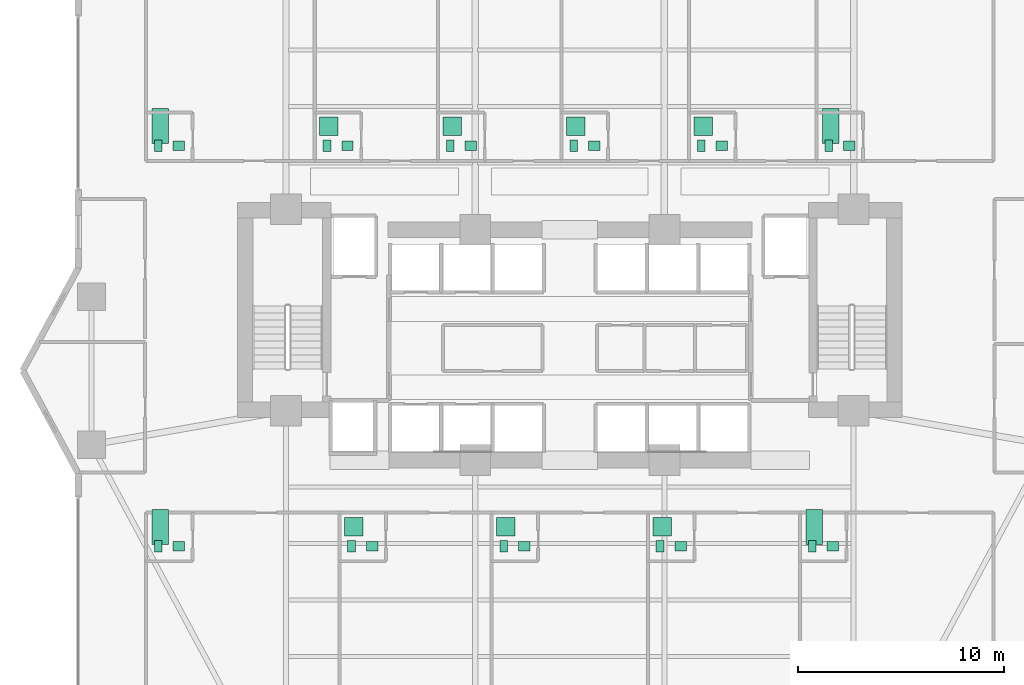
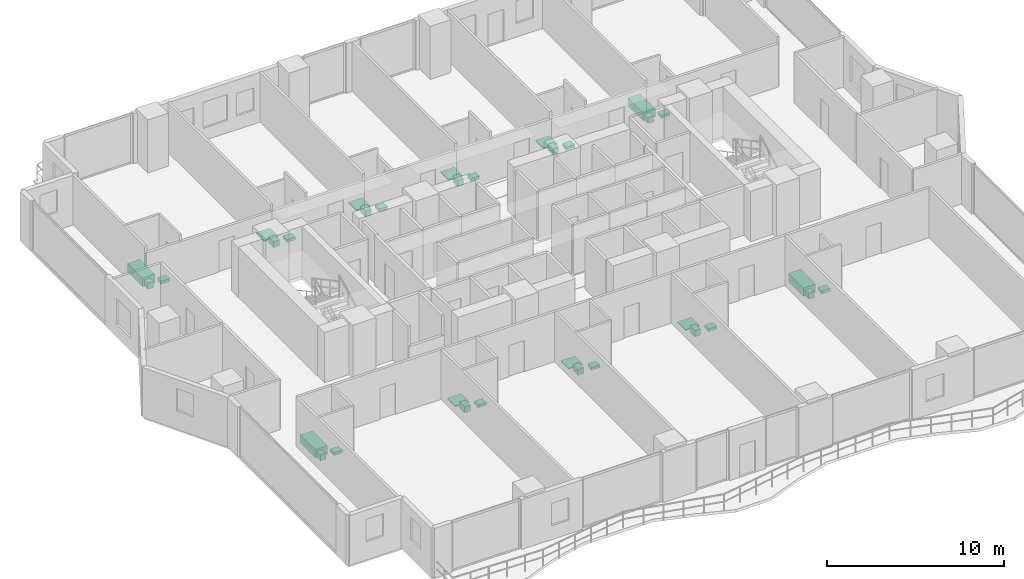
# One storey, part 28 of 28: 33 sanitary terminals.
"""IFC4 building model written with IfcOpenShell, lengths in metres."""

from ifc_helpers import new_model, si_unit, direction, frame, origin, origin_2d, place, context, subcontext, project, spatial, rectangle, extrude, material, type_object, element, save


model = new_model("IFC4")

# Units and contexts
model_context = context("Model", 3, precision=1e-05, world=origin(), true_north=direction((0.0, 1.0)))
body_context = subcontext(model_context, "Body", "Model", "MODEL_VIEW")
ifc_project = project(units=[si_unit("LENGTHUNIT", "METRE"), si_unit("AREAUNIT", "SQUARE_METRE"), si_unit("VOLUMEUNIT", "CUBIC_METRE"), si_unit("PLANEANGLEUNIT", "RADIAN"), si_unit("MASSUNIT", "GRAM", prefix="KILO")], contexts=[model_context])

# Site, building, storey
site_placement = place(None, origin())
site = spatial("IfcSite", under=ifc_project, at=site_placement, CompositionType="ELEMENT")
building_placement = place(site_placement, origin())
building = spatial("IfcBuilding", under=site, at=building_placement, Name="Zuhayl Quay Hotel", CompositionType="ELEMENT")
storey_placement = place(building_placement, frame((0.0, 0.0, 99.300048828125)))
storey = spatial("IfcBuildingStorey", under=building, at=storey_placement, Name="L24", CompositionType="ELEMENT", Elevation=99.300048828125)

# Sanitary terminals
ifc_material = material(Name="Vitreous Porcelain Sanitaryware")
sanitary_terminal_type_1 = type_object("IfcSanitaryTerminalType", Name="SAN_BASIN", PredefinedType="WASHHANDBASIN", material=ifc_material)
for number, where, z_axis, x_axis, name in (
    (1, (-19.010009765625, 17.43994140625, 0.0), (0.0, 0.0, 1.0), (1.0, 0.0, 0.0), "L24 Sanitary Fixture WASHHANDBASIN"),
    (2, (-10.81005859375, 17.43994140625, 0.0), (0.0, 0.0, 1.0), (1.0, 0.0, 0.0), "L24 Sanitary Fixture WASHHANDBASIN"),
    (3, (-4.81005859375, 17.43994140625, 0.0), (0.0, 0.0, 1.0), (1.0, 0.0, 0.0), "L24 Sanitary Fixture WASHHANDBASIN"),
    (4, (1.18994140625, 17.43994140625, 0.0), (0.0, 0.0, 1.0), (1.0, 0.0, 0.0), "L24 Sanitary Fixture WASHHANDBASIN"),
    (5, (7.389892578125, 17.43994140625, 0.0), (0.0, 0.0, 1.0), (1.0, 0.0, 0.0), "L24 Sanitary Fixture WASHHANDBASIN"),
    (6, (13.590087890625, 17.43994140625, 0.0), (0.0, 0.0, 1.0), (1.0, 0.0, 0.0), "L24 Sanitary Fixture WASHHANDBASIN"),
    (7, (-19.010009765625, -2.0400390625, 0.0), (0.0, 0.0, 1.0), (1.0, 0.0, 0.0), "L24 Sanitary Fixture WASHHANDBASIN"),
    (8, (-9.610107421875, -2.0400390625, 0.0), (0.0, 0.0, 1.0), (1.0, 0.0, 0.0), "L24 Sanitary Fixture WASHHANDBASIN"),
    (9, (-2.2099609375, -2.0400390625, 0.0), (0.0, 0.0, 1.0), (1.0, 0.0, 0.0), "L24 Sanitary Fixture WASHHANDBASIN"),
    (10, (5.389892578125, -2.0400390625, 0.0), (0.0, 0.0, 1.0), (1.0, 0.0, 0.0), "L24 Sanitary Fixture WASHHANDBASIN"),
    (11, (12.7900390625, -2.0400390625, 0.0), (0.0, 0.0, 1.0), (1.0, 0.0, 0.0), "L24 Sanitary Fixture WASHHANDBASIN"),
):
    element("IfcSanitaryTerminal", number, at=place(storey_placement, frame(where, z_axis=z_axis, x_axis=x_axis)), inside=storey, type_object=sanitary_terminal_type_1, Name=name, PredefinedType="WASHHANDBASIN", context=body_context, shape_type="SweptSolid", body=[
        extrude(rectangle(XDim=0.550048828125, YDim=0.449951171875, at=origin_2d()), origin(), (0.0, 0.0, 1.0), 0.199951171875),
    ])
sanitary_terminal_type_2 = type_object("IfcSanitaryTerminalType", Name="SAN_BATH", PredefinedType="BATH", material=ifc_material)
for number, where, z_axis, x_axis, name in (
    (12, (-19.909912109375, 18.389892578125, 0.0), (0.0, 0.0, 1.0), (1.0, 0.0, 0.0), "L24 Sanitary Fixture BATH"),
    (13, (12.68994140625, 18.389892578125, 0.0), (0.0, 0.0, 1.0), (1.0, 0.0, 0.0), "L24 Sanitary Fixture BATH"),
    (14, (-19.909912109375, -1.090087890625, 0.0), (0.0, 0.0, 1.0), (1.0, 0.0, 0.0), "L24 Sanitary Fixture BATH"),
    (15, (11.889892578125, -1.090087890625, 0.0), (0.0, 0.0, 1.0), (1.0, 0.0, 0.0), "L24 Sanitary Fixture BATH"),
):
    element("IfcSanitaryTerminal", number, at=place(storey_placement, frame(where, z_axis=z_axis, x_axis=x_axis)), inside=storey, type_object=sanitary_terminal_type_2, Name=name, PredefinedType="BATH", context=body_context, shape_type="SweptSolid", body=[
        extrude(rectangle(XDim=0.800048828125, YDim=1.699951171875, at=origin_2d()), origin(), (0.0, 0.0, 1.0), 0.580078125),
    ])
sanitary_terminal_type_3 = type_object("IfcSanitaryTerminalType", Name="SAN_SHOWER", PredefinedType="SHOWER", material=ifc_material)
for number, where, z_axis, x_axis, name in (
    (16, (-11.7099609375, 18.389892578125, 0.0), (0.0, 0.0, 1.0), (1.0, 0.0, 0.0), "L24 Sanitary Fixture SHOWER"),
    (17, (-5.7099609375, 18.389892578125, 0.0), (0.0, 0.0, 1.0), (1.0, 0.0, 0.0), "L24 Sanitary Fixture SHOWER"),
    (18, (0.2900390625, 18.389892578125, 0.0), (0.0, 0.0, 1.0), (1.0, 0.0, 0.0), "L24 Sanitary Fixture SHOWER"),
    (19, (6.489990234375, 18.389892578125, 0.0), (0.0, 0.0, 1.0), (1.0, 0.0, 0.0), "L24 Sanitary Fixture SHOWER"),
    (20, (-10.510009765625, -1.090087890625, 0.0), (0.0, 0.0, 1.0), (1.0, 0.0, 0.0), "L24 Sanitary Fixture SHOWER"),
    (21, (-3.110107421875, -1.090087890625, 0.0), (0.0, 0.0, 1.0), (1.0, 0.0, 0.0), "L24 Sanitary Fixture SHOWER"),
    (22, (4.489990234375, -1.090087890625, 0.0), (0.0, 0.0, 1.0), (1.0, 0.0, 0.0), "L24 Sanitary Fixture SHOWER"),
):
    element("IfcSanitaryTerminal", number, at=place(storey_placement, frame(where, z_axis=z_axis, x_axis=x_axis)), inside=storey, type_object=sanitary_terminal_type_3, Name=name, PredefinedType="SHOWER", context=body_context, shape_type="SweptSolid", body=[
        extrude(rectangle(XDim=0.89990234375, YDim=0.89990234375, at=origin_2d()), origin(), (0.0, 0.0, 1.0), 0.080078125),
    ])
sanitary_terminal_type_4 = type_object("IfcSanitaryTerminalType", Name="SAN_WC", PredefinedType="TOILETPAN", material=ifc_material)
for number, where, z_axis, x_axis, name in (
    (23, (-20.010009765625, 17.43994140625, 0.0), (0.0, 0.0, 1.0), (1.0, 0.0, 0.0), "L24 Sanitary Fixture TOILETPAN"),
    (24, (-11.81005859375, 17.43994140625, 0.0), (0.0, 0.0, 1.0), (1.0, 0.0, 0.0), "L24 Sanitary Fixture TOILETPAN"),
    (25, (-5.81005859375, 17.43994140625, 0.0), (0.0, 0.0, 1.0), (1.0, 0.0, 0.0), "L24 Sanitary Fixture TOILETPAN"),
    (26, (0.18994140625, 17.43994140625, 0.0), (0.0, 0.0, 1.0), (1.0, 0.0, 0.0), "L24 Sanitary Fixture TOILETPAN"),
    (27, (6.389892578125, 17.43994140625, 0.0), (0.0, 0.0, 1.0), (1.0, 0.0, 0.0), "L24 Sanitary Fixture TOILETPAN"),
    (28, (12.590087890625, 17.43994140625, 0.0), (0.0, 0.0, 1.0), (1.0, 0.0, 0.0), "L24 Sanitary Fixture TOILETPAN"),
    (29, (-20.010009765625, -2.0400390625, 0.0), (0.0, 0.0, 1.0), (1.0, 0.0, 0.0), "L24 Sanitary Fixture TOILETPAN"),
    (30, (-10.610107421875, -2.0400390625, 0.0), (0.0, 0.0, 1.0), (1.0, 0.0, 0.0), "L24 Sanitary Fixture TOILETPAN"),
    (31, (-3.2099609375, -2.0400390625, 0.0), (0.0, 0.0, 1.0), (1.0, 0.0, 0.0), "L24 Sanitary Fixture TOILETPAN"),
    (32, (4.389892578125, -2.0400390625, 0.0), (0.0, 0.0, 1.0), (1.0, 0.0, 0.0), "L24 Sanitary Fixture TOILETPAN"),
    (33, (11.7900390625, -2.0400390625, 0.0), (0.0, 0.0, 1.0), (1.0, 0.0, 0.0), "L24 Sanitary Fixture TOILETPAN"),
):
    element("IfcSanitaryTerminal", number, at=place(storey_placement, frame(where, z_axis=z_axis, x_axis=x_axis)), inside=storey, type_object=sanitary_terminal_type_4, Name=name, PredefinedType="TOILETPAN", context=body_context, shape_type="SweptSolid", body=[
        extrude(rectangle(XDim=0.3798828125, YDim=0.56005859375, at=origin_2d()), origin(), (0.0, 0.0, 1.0), 0.419921875),
    ])

save(model, "model.ifc")
